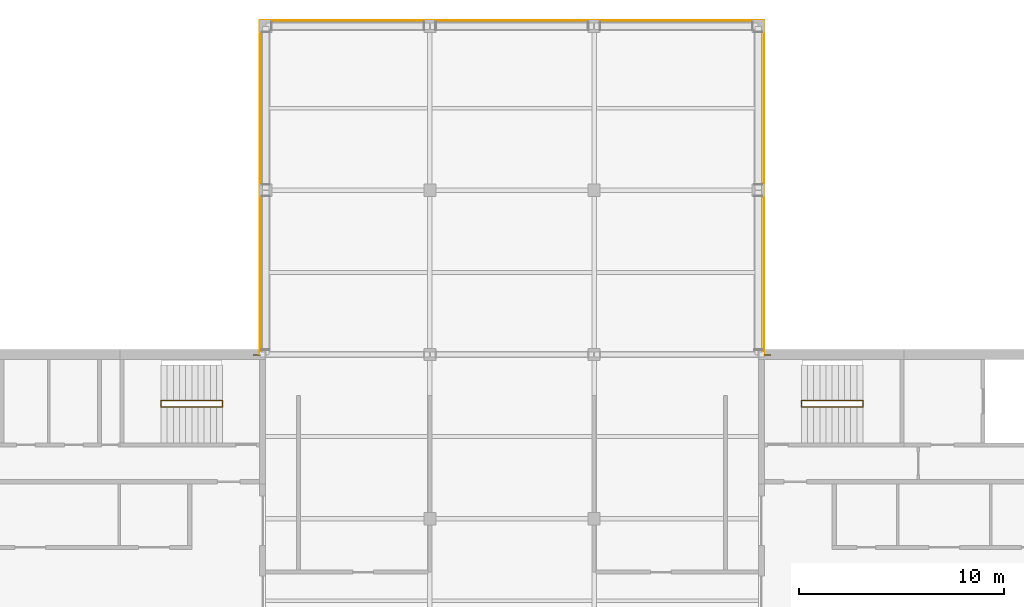
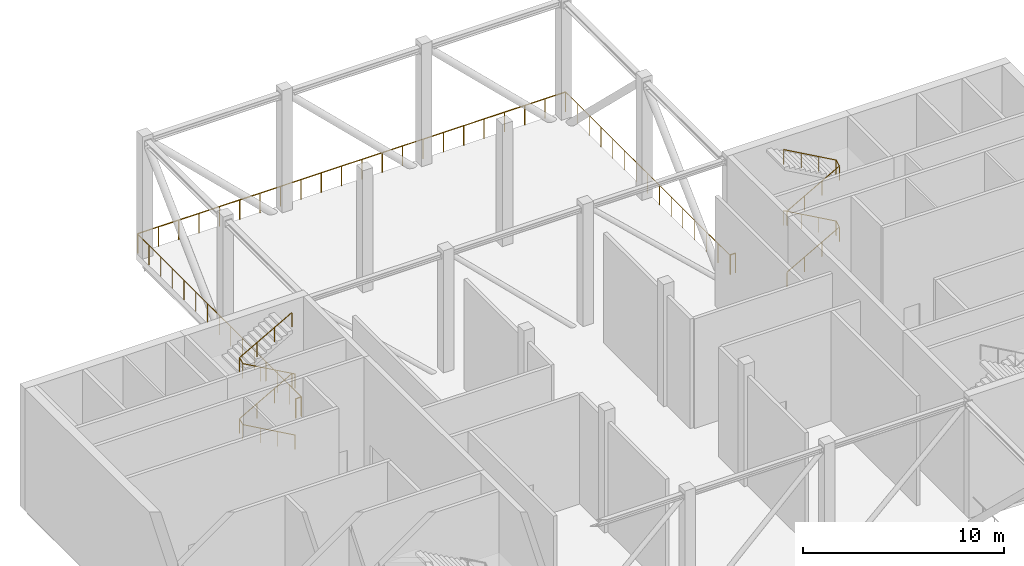
# One storey, part 9 of 9: 7 railings.
"""IFC4 building model written with IfcOpenShell, lengths in metres."""

import ifcopenshell
import ifcopenshell.guid

model = None  # the IFC model being written
_history = None  # IfcOwnerHistory: only IFC2X3 demands one
_inside = {}  # id of a spatial element -> (the spatial element, [elements in it])
_under = {}  # id of a project, library or spatial element -> (it, [spatial elements below it])
_declared = {}  # id of a project -> (the project, [libraries it declares])
_typed = {}  # id of a type object -> (the type object, [elements of that type])
_made_of = {}  # id of a material, layer set ... -> (it, [elements and type objects made of it])


def new_model(schema):
    """Start an empty IFC model of exactly this schema.

    Asked for "IFC4X3", IfcOpenShell would pick the latest addendum, in which some entities
    have other attributes; the version numbers below select the first issue.
    IFC2X3 requires an IfcOwnerHistory on every rooted entity: one is made here for all.
    """
    global model, _history
    if schema == "IFC4X3":
        model = ifcopenshell.file(schema_version=(4, 3, 0, 0))
    else:
        model = ifcopenshell.file(schema=schema)
    _inside.clear()
    _under.clear()
    _declared.clear()
    _typed.clear()
    _made_of.clear()
    _history = None
    if model.schema == "IFC2X3":
        org = make("IfcOrganization", Name="unknown")
        user = make(
            "IfcPersonAndOrganization",
            ThePerson=make("IfcPerson", FamilyName="unknown"),
            TheOrganization=org,
        )
        app = make(
            "IfcApplication",
            ApplicationDeveloper=org,
            Version="unknown",
            ApplicationFullName="unknown",
            ApplicationIdentifier="unknown",
        )
        _history = make(
            "IfcOwnerHistory",
            OwningUser=user,
            OwningApplication=app,
            ChangeAction="ADDED",
            CreationDate=0,
        )
    return model


def make(cls, **values):
    """One entity of the class cls with the attributes given. An attribute that is None is left unset."""
    return model.create_entity(
        cls, **{name: value for name, value in values.items() if value is not None}
    )


def rooted(cls, **values):
    """An entity with a GlobalId (a new one), such as an element, a storey or a relation."""
    return make(cls, GlobalId=ifcopenshell.guid.new(), OwnerHistory=_history, **values)


def si_unit(unit_type, name, prefix=None):
    """IfcSIUnit, for example si_unit("LENGTHUNIT", "METRE", prefix="MILLI")."""
    return make("IfcSIUnit", UnitType=unit_type, Prefix=prefix, Name=name)


def assignment(units):
    """IfcUnitAssignment: the units of a project."""
    return None if units is None else make("IfcUnitAssignment", Units=units)


def point(xyz):
    """IfcCartesianPoint."""
    return None if xyz is None else make("IfcCartesianPoint", Coordinates=xyz)


def direction(xyz):
    """IfcDirection."""
    return None if xyz is None else make("IfcDirection", DirectionRatios=xyz)


def frame(location, z_axis=None, x_axis=None):
    """IfcAxis2Placement3D, a coordinate frame: its origin and axes. An axis left out is left unset."""
    return make(
        "IfcAxis2Placement3D",
        Location=point(location),
        Axis=direction(z_axis),
        RefDirection=direction(x_axis),
    )


def frame_2d(location, x_axis=None):
    """IfcAxis2Placement2D, a coordinate frame in the plane: its origin and x axis."""
    return make(
        "IfcAxis2Placement2D", Location=point(location), RefDirection=direction(x_axis)
    )


def origin():
    """The frame at (0, 0, 0) with its axes left unset."""
    return frame((0.0, 0.0, 0.0))


def origin_2d():
    """The frame at (0, 0) in the plane with its x axis left unset."""
    return frame_2d((0.0, 0.0))


def place(relative_to, where):
    """IfcLocalPlacement: puts the frame where relative to a parent placement (None: the world)."""
    return make(
        "IfcLocalPlacement", PlacementRelTo=relative_to, RelativePlacement=where
    )


def context(
    kind, dimensions, precision=None, world=None, true_north=None, identifier=None
):
    """IfcGeometricRepresentationContext, for example the 3D "Model" context."""
    return make(
        "IfcGeometricRepresentationContext",
        ContextIdentifier=identifier,
        ContextType=kind,
        CoordinateSpaceDimension=dimensions,
        Precision=precision,
        WorldCoordinateSystem=world,
        TrueNorth=true_north,
    )


def subcontext(parent, identifier, kind, view, scale=None):
    """IfcGeometricRepresentationSubContext, for example "Body" below "Model"."""
    return make(
        "IfcGeometricRepresentationSubContext",
        ContextIdentifier=identifier,
        ContextType=kind,
        ParentContext=parent,
        TargetScale=scale,
        TargetView=view,
    )


def project(units=None, contexts=None):
    """IfcProject with its units and contexts."""
    return rooted(
        "IfcProject",
        Name="project",
        RepresentationContexts=contexts,
        UnitsInContext=assignment(units),
    )


def spatial(cls, under=None, at=None, **own):
    """A site, building, storey or space (cls), placed at a placement, below another one or the project."""
    s = rooted(cls, ObjectPlacement=at, **own)
    if under is not None:
        _under.setdefault(under.id(), (under, []))[1].append(s)
    return s


def profile(cls, at=None, kind="AREA", **sizes):
    """A parametric profile (cls). Its sizes go by their IFC names, for example OverallWidth=200.0."""
    return make(cls, ProfileType=kind, Position=at, **sizes)


def circle(**sizes):
    """IfcCircleProfileDef."""
    return profile("IfcCircleProfileDef", **sizes)


def extrude(swept, where, along, depth):
    """IfcExtrudedAreaSolid: the profile swept, set in the frame where, extruded along a direction by depth."""
    return make(
        "IfcExtrudedAreaSolid",
        SweptArea=swept,
        Position=where,
        ExtrudedDirection=direction(along),
        Depth=depth,
    )


def shape(context_of_items, identifier, shape_type, items):
    """IfcShapeRepresentation: the items that make up one representation, for example the "Body"."""
    return make(
        "IfcShapeRepresentation",
        ContextOfItems=context_of_items,
        RepresentationIdentifier=identifier,
        RepresentationType=shape_type,
        Items=items,
    )


def material(Name=None, Category=None):
    """IfcMaterial."""
    return make("IfcMaterial", Name=Name, Category=Category)


def made_of(thing, what):
    """Note that an element or type object is made of a material, layer set ...; save() writes the relation."""
    if what is not None:
        _made_of.setdefault(what.id(), (what, []))[1].append(thing)
    return thing


def type_object(cls, material=None, **own):
    """A type object (cls), such as IfcWallType, which elements share."""
    return made_of(rooted(cls, **own), material)


def element(
    cls,
    number,
    at=None,
    inside=None,
    cuts=None,
    type_object=None,
    material=None,
    context=None,
    identifier="Body",
    shape_type=None,
    held_by="IfcProductDefinitionShape",
    body=None,
    shapes=None,
    **own,
):
    """One element of the class cls, such as IfcWall. Its Tag is "e" and its number.

    at: its placement. inside: the storey or other place that contains it. cuts: it is an
    opening in that element (IfcRelVoidsElement). A single representation is given by context,
    identifier, shape_type and body (its items); several are given by shapes. held_by: the class
    of the entity that holds the representations. save() writes the other relations.
    """
    e = rooted(cls, Tag="e%d" % number, ObjectPlacement=at, **own)
    if body is not None:
        shapes = [shape(context, identifier, shape_type, body)]
    if shapes is not None:
        e.Representation = make(held_by, Representations=shapes)
    if inside is not None:
        _inside.setdefault(inside.id(), (inside, []))[1].append(e)
    if cuts is not None:
        rooted(
            "IfcRelVoidsElement", RelatingBuildingElement=cuts, RelatedOpeningElement=e
        )
    if type_object is not None:
        _typed.setdefault(type_object.id(), (type_object, []))[1].append(e)
    return made_of(e, material)


def aggregate(whole, parts):
    """IfcRelAggregates: a whole, such as a stair, and the parts it consists of."""
    return rooted("IfcRelAggregates", RelatingObject=whole, RelatedObjects=parts)


def save(model, path):
    """Write the relations noted so far, then the file.

    IfcRelAggregates (storeys below a building ...), IfcRelContainedInSpatialStructure (elements
    in a storey), IfcRelDefinesByType, IfcRelAssociatesMaterial and IfcRelDeclares: one each for
    every whole, place, type object, material and project.
    """
    for whole, parts in _under.values():
        aggregate(whole, parts)
    for where, things in _inside.values():
        rooted(
            "IfcRelContainedInSpatialStructure",
            RelatedElements=things,
            RelatingStructure=where,
        )
    for kind, things in _typed.values():
        rooted("IfcRelDefinesByType", RelatedObjects=things, RelatingType=kind)
    for what, things in _made_of.values():
        rooted("IfcRelAssociatesMaterial", RelatedObjects=things, RelatingMaterial=what)
    for by, libraries in _declared.values():
        rooted("IfcRelDeclares", RelatingContext=by, RelatedDefinitions=libraries)
    model.write(path)


model = new_model("IFC4")

# Units and contexts
model_context = context("Model", 3, precision=1e-05, world=origin(), true_north=direction((0.0, 1.0)))
body_context = subcontext(model_context, "Body", "Model", "MODEL_VIEW")
ifc_project = project(units=[si_unit("LENGTHUNIT", "METRE"), si_unit("AREAUNIT", "SQUARE_METRE"), si_unit("VOLUMEUNIT", "CUBIC_METRE"), si_unit("PLANEANGLEUNIT", "RADIAN"), si_unit("MASSUNIT", "GRAM", prefix="KILO")], contexts=[model_context])

# Site, building, storey
site_placement = place(None, origin())
site = spatial("IfcSite", under=ifc_project, at=site_placement, CompositionType="ELEMENT")
building_placement = place(site_placement, origin())
building = spatial("IfcBuilding", under=site, at=building_placement, Name="Crosswind Convention Tower", CompositionType="ELEMENT")
storey_placement = place(building_placement, frame((0.0, 0.0, 303.89990234375)))
storey = spatial("IfcBuildingStorey", under=building, at=storey_placement, Name="L66", CompositionType="ELEMENT", Elevation=303.89990234375)

# Railings
ifc_material_1 = material(Name="Stainless steel", Category="steel")
railing_type_1 = type_object("IfcRailingType", Name="Stair handrail 900", PredefinedType="HANDRAIL", material=ifc_material_1)
railing_1_placement = place(storey_placement, frame((139.10009765625, 109.43994140625, 0.168212890625)))
element("IfcRailing", 1, at=railing_1_placement, inside=storey, type_object=railing_type_1, Name="Stair ST1 handrail L66", PredefinedType="HANDRAIL", context=body_context, shape_type="SweptSolid", body=[
    extrude(circle(Radius=0.02392578125, at=origin_2d()), frame((0.0, 0.0, 0.8759765625), z_axis=(0.872272294576, 0.0, 0.489020494575), x_axis=(0.0, 1.0, 0.0)), (0.0, 0.0, 1.0), 3.439208984375),
    extrude(circle(Radius=0.02392578125, at=origin_2d()), frame((3.0, 0.0, 2.5576171875), z_axis=(0.0, 0.885196349292, 0.465217608438), x_axis=(-1.0, 0.0, 0.0)), (0.0, 0.0, 1.0), 0.361572265625),
    extrude(circle(Radius=0.02392578125, at=origin_2d()), frame((3.0, 0.320068359375, 2.72607421875), z_axis=(-0.872272294576, 0.0, 0.489020494575), x_axis=(0.0, -1.0, 0.0)), (0.0, 0.0, 1.0), 3.439208984375),
    extrude(circle(Radius=0.02392578125, at=origin_2d()), frame((0.0, 0.320068359375, 4.40771484375), z_axis=(0.0, -0.885474334664, 0.464688285468), x_axis=(1.0, 0.0, 0.0)), (0.0, 0.0, 1.0), 0.361572265625),
    extrude(circle(Radius=0.02392578125, at=origin_2d()), frame((0.0, 0.0, 4.57568359375), z_axis=(0.872272294576, 0.0, 0.489020494575), x_axis=(0.0, 1.0, 0.0)), (0.0, 0.0, 1.0), 3.439208984375),
    extrude(circle(Radius=0.02392578125, at=origin_2d()), frame((3.0, 0.0, 6.2578125), z_axis=(0.0, 0.885196349292, 0.465217608438), x_axis=(-1.0, 0.0, 0.0)), (0.0, 0.0, 1.0), 0.361572265625),
    extrude(circle(Radius=0.02392578125, at=origin_2d()), frame((3.0, 0.320068359375, 6.42578125), z_axis=(-0.872272294576, 0.0, 0.489020494575), x_axis=(0.0, -1.0, 0.0)), (0.0, 0.0, 1.0), 3.439208984375),
    extrude(circle(Radius=0.02099609375, at=origin_2d()), origin(), (0.0, 0.0, 1.0), 0.851806640625),
    extrude(circle(Radius=0.02099609375, at=origin_2d()), frame((1.0, 0.0, 0.560546875)), (0.0, 0.0, 1.0), 0.851806640625),
    extrude(circle(Radius=0.02099609375, at=origin_2d()), frame((2.0, 0.0, 1.121337890625)), (0.0, 0.0, 1.0), 0.851806640625),
    extrude(circle(Radius=0.02099609375, at=origin_2d()), frame((3.0, 0.0, 1.681884765625)), (0.0, 0.0, 1.0), 0.851806640625),
    extrude(circle(Radius=0.02099609375, at=origin_2d()), frame((3.0, 0.320068359375, 1.85009765625)), (0.0, 0.0, 1.0), 0.851806640625),
    extrude(circle(Radius=0.02099609375, at=origin_2d()), frame((2.0, 0.320068359375, 2.41064453125)), (0.0, 0.0, 1.0), 0.851806640625),
    extrude(circle(Radius=0.02099609375, at=origin_2d()), frame((1.0, 0.320068359375, 2.971435546875)), (0.0, 0.0, 1.0), 0.851806640625),
    extrude(circle(Radius=0.02099609375, at=origin_2d()), frame((0.0, 0.320068359375, 3.531982421875)), (0.0, 0.0, 1.0), 0.851806640625),
    extrude(circle(Radius=0.02099609375, at=origin_2d()), frame((0.0, 0.0, 3.699951171875)), (0.0, 0.0, 1.0), 0.851806640625),
    extrude(circle(Radius=0.02099609375, at=origin_2d()), frame((1.0, 0.0, 4.260498046875)), (0.0, 0.0, 1.0), 0.851806640625),
    extrude(circle(Radius=0.02099609375, at=origin_2d()), frame((2.0, 0.0, 4.8212890625)), (0.0, 0.0, 1.0), 0.851806640625),
    extrude(circle(Radius=0.02099609375, at=origin_2d()), frame((3.0, 0.0, 5.3818359375)), (0.0, 0.0, 1.0), 0.851806640625),
    extrude(circle(Radius=0.02099609375, at=origin_2d()), frame((3.0, 0.320068359375, 5.550048828125)), (0.0, 0.0, 1.0), 0.851806640625),
    extrude(circle(Radius=0.02099609375, at=origin_2d()), frame((2.0, 0.320068359375, 6.110595703125)), (0.0, 0.0, 1.0), 0.851806640625),
    extrude(circle(Radius=0.02099609375, at=origin_2d()), frame((1.0, 0.320068359375, 6.67138671875)), (0.0, 0.0, 1.0), 0.851806640625),
    extrude(circle(Radius=0.02099609375, at=origin_2d()), frame((0.0, 0.320068359375, 7.23193359375)), (0.0, 0.0, 1.0), 0.851806640625),
])
railing_2_placement = place(storey_placement, frame((110.89990234375, 109.43994140625, 0.168212890625)))
element("IfcRailing", 2, at=railing_2_placement, inside=storey, type_object=railing_type_1, Name="Stair ST4 handrail L66", PredefinedType="HANDRAIL", context=body_context, shape_type="SweptSolid", body=[
    extrude(circle(Radius=0.02392578125, at=origin_2d()), frame((0.0, 0.0, 0.8759765625), z_axis=(-0.872272294576, 0.0, 0.489020494575), x_axis=(0.0, -1.0, 0.0)), (0.0, 0.0, 1.0), 3.439208984375),
    extrude(circle(Radius=0.02392578125, at=origin_2d()), frame((-3.0, 0.0, 2.5576171875), z_axis=(0.0, 0.885196349292, 0.465217608438), x_axis=(-1.0, 0.0, 0.0)), (0.0, 0.0, 1.0), 0.361572265625),
    extrude(circle(Radius=0.02392578125, at=origin_2d()), frame((-3.0, 0.320068359375, 2.72607421875), z_axis=(0.872272294576, 0.0, 0.489020494575), x_axis=(0.0, 1.0, 0.0)), (0.0, 0.0, 1.0), 3.439208984375),
    extrude(circle(Radius=0.02392578125, at=origin_2d()), frame((0.0, 0.320068359375, 4.40771484375), z_axis=(0.0, -0.885474334664, 0.464688285468), x_axis=(1.0, 0.0, 0.0)), (0.0, 0.0, 1.0), 0.361572265625),
    extrude(circle(Radius=0.02392578125, at=origin_2d()), frame((0.0, 0.0, 4.57568359375), z_axis=(-0.872272294576, 0.0, 0.489020494575), x_axis=(0.0, -1.0, 0.0)), (0.0, 0.0, 1.0), 3.439208984375),
    extrude(circle(Radius=0.02392578125, at=origin_2d()), frame((-3.0, 0.0, 6.2578125), z_axis=(0.0, 0.885196349292, 0.465217608438), x_axis=(-1.0, 0.0, 0.0)), (0.0, 0.0, 1.0), 0.361572265625),
    extrude(circle(Radius=0.02392578125, at=origin_2d()), frame((-3.0, 0.320068359375, 6.42578125), z_axis=(0.872272294576, 0.0, 0.489020494575), x_axis=(0.0, 1.0, 0.0)), (0.0, 0.0, 1.0), 3.439208984375),
    extrude(circle(Radius=0.02099609375, at=origin_2d()), origin(), (0.0, 0.0, 1.0), 0.851806640625),
    extrude(circle(Radius=0.02099609375, at=origin_2d()), frame((-1.0, 0.0, 0.560546875)), (0.0, 0.0, 1.0), 0.851806640625),
    extrude(circle(Radius=0.02099609375, at=origin_2d()), frame((-2.0, 0.0, 1.121337890625)), (0.0, 0.0, 1.0), 0.851806640625),
    extrude(circle(Radius=0.02099609375, at=origin_2d()), frame((-3.0, 0.0, 1.681884765625)), (0.0, 0.0, 1.0), 0.851806640625),
    extrude(circle(Radius=0.02099609375, at=origin_2d()), frame((-3.0, 0.320068359375, 1.85009765625)), (0.0, 0.0, 1.0), 0.851806640625),
    extrude(circle(Radius=0.02099609375, at=origin_2d()), frame((-2.0, 0.320068359375, 2.41064453125)), (0.0, 0.0, 1.0), 0.851806640625),
    extrude(circle(Radius=0.02099609375, at=origin_2d()), frame((-1.0, 0.320068359375, 2.971435546875)), (0.0, 0.0, 1.0), 0.851806640625),
    extrude(circle(Radius=0.02099609375, at=origin_2d()), frame((0.0, 0.320068359375, 3.531982421875)), (0.0, 0.0, 1.0), 0.851806640625),
    extrude(circle(Radius=0.02099609375, at=origin_2d()), frame((0.0, 0.0, 3.699951171875)), (0.0, 0.0, 1.0), 0.851806640625),
    extrude(circle(Radius=0.02099609375, at=origin_2d()), frame((-1.0, 0.0, 4.260498046875)), (0.0, 0.0, 1.0), 0.851806640625),
    extrude(circle(Radius=0.02099609375, at=origin_2d()), frame((-2.0, 0.0, 4.8212890625)), (0.0, 0.0, 1.0), 0.851806640625),
    extrude(circle(Radius=0.02099609375, at=origin_2d()), frame((-3.0, 0.0, 5.3818359375)), (0.0, 0.0, 1.0), 0.851806640625),
    extrude(circle(Radius=0.02099609375, at=origin_2d()), frame((-3.0, 0.320068359375, 5.550048828125)), (0.0, 0.0, 1.0), 0.851806640625),
    extrude(circle(Radius=0.02099609375, at=origin_2d()), frame((-2.0, 0.320068359375, 6.110595703125)), (0.0, 0.0, 1.0), 0.851806640625),
    extrude(circle(Radius=0.02099609375, at=origin_2d()), frame((-1.0, 0.320068359375, 6.67138671875)), (0.0, 0.0, 1.0), 0.851806640625),
    extrude(circle(Radius=0.02099609375, at=origin_2d()), frame((0.0, 0.320068359375, 7.23193359375)), (0.0, 0.0, 1.0), 0.851806640625),
])
ifc_material_2 = material(Name="Stainless steel guard", Category="steel")
railing_type_2 = type_object("IfcRailingType", Name="WIND FLOOR GUARD 1200", PredefinedType="GUARDRAIL", material=ifc_material_2)
railing_3_placement = place(storey_placement, frame((112.39990234375, 111.97509765625, 0.0)))
element("IfcRailing", 3, at=railing_3_placement, inside=storey, type_object=railing_type_2, Name="R12 guard L66 1", PredefinedType="GUARDRAIL", context=body_context, shape_type="SweptSolid", body=[
    extrude(circle(Radius=0.01904296875, at=origin_2d()), frame((0.0, 0.0, 1.180908203125), z_axis=(1.0, 0.0, 0.0), x_axis=(0.0, 1.0, 0.0)), (0.0, 0.0, 1.0), 0.3251953125),
    extrude(circle(Radius=0.01611328125, at=origin_2d()), origin(), (0.0, 0.0, 1.0), 1.161865234375),
    extrude(circle(Radius=0.01611328125, at=origin_2d()), frame((0.3251953125, 0.0, 0.0)), (0.0, 0.0, 1.0), 1.161865234375),
])
railing_4_placement = place(storey_placement, frame((112.72509765625, 112.014892578125, 0.0)))
element("IfcRailing", 4, at=railing_4_placement, inside=storey, type_object=railing_type_2, Name="R12 guard L66 2", PredefinedType="GUARDRAIL", context=body_context, shape_type="SweptSolid", body=[
    extrude(circle(Radius=0.01904296875, at=origin_2d()), frame((0.0, 0.0, 1.180908203125), z_axis=(0.0, 1.0, 0.0), x_axis=(-1.0, 0.0, 0.0)), (0.0, 0.0, 1.0), 16.260009765625),
    extrude(circle(Radius=0.01611328125, at=origin_2d()), origin(), (0.0, 0.0, 1.0), 1.161865234375),
    extrude(circle(Radius=0.01611328125, at=origin_2d()), frame((0.0, 1.161376953125, 0.0)), (0.0, 0.0, 1.0), 1.161865234375),
    extrude(circle(Radius=0.01611328125, at=origin_2d()), frame((0.0, 2.32275390625, 0.0)), (0.0, 0.0, 1.0), 1.161865234375),
    extrude(circle(Radius=0.01611328125, at=origin_2d()), frame((0.0, 3.484375, 0.0)), (0.0, 0.0, 1.0), 1.161865234375),
    extrude(circle(Radius=0.01611328125, at=origin_2d()), frame((0.0, 4.645751953125, 0.0)), (0.0, 0.0, 1.0), 1.161865234375),
    extrude(circle(Radius=0.01611328125, at=origin_2d()), frame((0.0, 5.80712890625, 0.0)), (0.0, 0.0, 1.0), 1.161865234375),
    extrude(circle(Radius=0.01611328125, at=origin_2d()), frame((0.0, 6.968505859375, 0.0)), (0.0, 0.0, 1.0), 1.161865234375),
    extrude(circle(Radius=0.01611328125, at=origin_2d()), frame((0.0, 8.1298828125, 0.0)), (0.0, 0.0, 1.0), 1.161865234375),
    extrude(circle(Radius=0.01611328125, at=origin_2d()), frame((0.0, 9.29150390625, 0.0)), (0.0, 0.0, 1.0), 1.161865234375),
    extrude(circle(Radius=0.01611328125, at=origin_2d()), frame((0.0, 10.452880859375, 0.0)), (0.0, 0.0, 1.0), 1.161865234375),
    extrude(circle(Radius=0.01611328125, at=origin_2d()), frame((0.0, 11.6142578125, 0.0)), (0.0, 0.0, 1.0), 1.161865234375),
    extrude(circle(Radius=0.01611328125, at=origin_2d()), frame((0.0, 12.775634765625, 0.0)), (0.0, 0.0, 1.0), 1.161865234375),
    extrude(circle(Radius=0.01611328125, at=origin_2d()), frame((0.0, 13.937255859375, 0.0)), (0.0, 0.0, 1.0), 1.161865234375),
    extrude(circle(Radius=0.01611328125, at=origin_2d()), frame((0.0, 15.0986328125, 0.0)), (0.0, 0.0, 1.0), 1.161865234375),
    extrude(circle(Radius=0.01611328125, at=origin_2d()), frame((0.0, 16.260009765625, 0.0)), (0.0, 0.0, 1.0), 1.161865234375),
])
railing_5_placement = place(storey_placement, frame((112.764892578125, 128.27490234375, 0.0)))
element("IfcRailing", 5, at=railing_5_placement, inside=storey, type_object=railing_type_2, Name="R12 guard L66 3", PredefinedType="GUARDRAIL", context=body_context, shape_type="SweptSolid", body=[
    extrude(circle(Radius=0.01904296875, at=origin_2d()), frame((0.0, 0.0, 1.180908203125), z_axis=(1.0, 0.0, 0.0), x_axis=(0.0, 1.0, 0.0)), (0.0, 0.0, 1.0), 24.510009765625),
    extrude(circle(Radius=0.01611328125, at=origin_2d()), origin(), (0.0, 0.0, 1.0), 1.161865234375),
    extrude(circle(Radius=0.01611328125, at=origin_2d()), frame((1.167236328125, 0.0, 0.0)), (0.0, 0.0, 1.0), 1.161865234375),
    extrude(circle(Radius=0.01611328125, at=origin_2d()), frame((2.334228515625, 0.0, 0.0)), (0.0, 0.0, 1.0), 1.161865234375),
    extrude(circle(Radius=0.01611328125, at=origin_2d()), frame((3.50146484375, 0.0, 0.0)), (0.0, 0.0, 1.0), 1.161865234375),
    extrude(circle(Radius=0.01611328125, at=origin_2d()), frame((4.66845703125, 0.0, 0.0)), (0.0, 0.0, 1.0), 1.161865234375),
    extrude(circle(Radius=0.01611328125, at=origin_2d()), frame((5.835693359375, 0.0, 0.0)), (0.0, 0.0, 1.0), 1.161865234375),
    extrude(circle(Radius=0.01611328125, at=origin_2d()), frame((7.0029296875, 0.0, 0.0)), (0.0, 0.0, 1.0), 1.161865234375),
    extrude(circle(Radius=0.01611328125, at=origin_2d()), frame((8.169921875, 0.0, 0.0)), (0.0, 0.0, 1.0), 1.161865234375),
    extrude(circle(Radius=0.01611328125, at=origin_2d()), frame((9.337158203125, 0.0, 0.0)), (0.0, 0.0, 1.0), 1.161865234375),
    extrude(circle(Radius=0.01611328125, at=origin_2d()), frame((10.50439453125, 0.0, 0.0)), (0.0, 0.0, 1.0), 1.161865234375),
    extrude(circle(Radius=0.01611328125, at=origin_2d()), frame((11.67138671875, 0.0, 0.0)), (0.0, 0.0, 1.0), 1.161865234375),
    extrude(circle(Radius=0.01611328125, at=origin_2d()), frame((12.838623046875, 0.0, 0.0)), (0.0, 0.0, 1.0), 1.161865234375),
    extrude(circle(Radius=0.01611328125, at=origin_2d()), frame((14.005615234375, 0.0, 0.0)), (0.0, 0.0, 1.0), 1.161865234375),
    extrude(circle(Radius=0.01611328125, at=origin_2d()), frame((15.1728515625, 0.0, 0.0)), (0.0, 0.0, 1.0), 1.161865234375),
    extrude(circle(Radius=0.01611328125, at=origin_2d()), frame((16.340087890625, 0.0, 0.0)), (0.0, 0.0, 1.0), 1.161865234375),
    extrude(circle(Radius=0.01611328125, at=origin_2d()), frame((17.507080078125, 0.0, 0.0)), (0.0, 0.0, 1.0), 1.161865234375),
    extrude(circle(Radius=0.01611328125, at=origin_2d()), frame((18.67431640625, 0.0, 0.0)), (0.0, 0.0, 1.0), 1.161865234375),
    extrude(circle(Radius=0.01611328125, at=origin_2d()), frame((19.841552734375, 0.0, 0.0)), (0.0, 0.0, 1.0), 1.161865234375),
    extrude(circle(Radius=0.01611328125, at=origin_2d()), frame((21.008544921875, 0.0, 0.0)), (0.0, 0.0, 1.0), 1.161865234375),
    extrude(circle(Radius=0.01611328125, at=origin_2d()), frame((22.17578125, 0.0, 0.0)), (0.0, 0.0, 1.0), 1.161865234375),
    extrude(circle(Radius=0.01611328125, at=origin_2d()), frame((23.3427734375, 0.0, 0.0)), (0.0, 0.0, 1.0), 1.161865234375),
    extrude(circle(Radius=0.01611328125, at=origin_2d()), frame((24.510009765625, 0.0, 0.0)), (0.0, 0.0, 1.0), 1.161865234375),
])
railing_6_placement = place(storey_placement, frame((137.27490234375, 128.235107421875, 0.0)))
element("IfcRailing", 6, at=railing_6_placement, inside=storey, type_object=railing_type_2, Name="R12 guard L66 4", PredefinedType="GUARDRAIL", context=body_context, shape_type="SweptSolid", body=[
    extrude(circle(Radius=0.01904296875, at=origin_2d()), frame((0.0, 0.0, 1.180908203125), z_axis=(0.0, -1.0, 0.0), x_axis=(1.0, 0.0, 0.0)), (0.0, 0.0, 1.0), 16.260009765625),
    extrude(circle(Radius=0.01611328125, at=origin_2d()), origin(), (0.0, 0.0, 1.0), 1.161865234375),
    extrude(circle(Radius=0.01611328125, at=origin_2d()), frame((0.0, -1.161376953125, 0.0)), (0.0, 0.0, 1.0), 1.161865234375),
    extrude(circle(Radius=0.01611328125, at=origin_2d()), frame((0.0, -2.32275390625, 0.0)), (0.0, 0.0, 1.0), 1.161865234375),
    extrude(circle(Radius=0.01611328125, at=origin_2d()), frame((0.0, -3.484375, 0.0)), (0.0, 0.0, 1.0), 1.161865234375),
    extrude(circle(Radius=0.01611328125, at=origin_2d()), frame((0.0, -4.645751953125, 0.0)), (0.0, 0.0, 1.0), 1.161865234375),
    extrude(circle(Radius=0.01611328125, at=origin_2d()), frame((0.0, -5.80712890625, 0.0)), (0.0, 0.0, 1.0), 1.161865234375),
    extrude(circle(Radius=0.01611328125, at=origin_2d()), frame((0.0, -6.968505859375, 0.0)), (0.0, 0.0, 1.0), 1.161865234375),
    extrude(circle(Radius=0.01611328125, at=origin_2d()), frame((0.0, -8.1298828125, 0.0)), (0.0, 0.0, 1.0), 1.161865234375),
    extrude(circle(Radius=0.01611328125, at=origin_2d()), frame((0.0, -9.29150390625, 0.0)), (0.0, 0.0, 1.0), 1.161865234375),
    extrude(circle(Radius=0.01611328125, at=origin_2d()), frame((0.0, -10.452880859375, 0.0)), (0.0, 0.0, 1.0), 1.161865234375),
    extrude(circle(Radius=0.01611328125, at=origin_2d()), frame((0.0, -11.6142578125, 0.0)), (0.0, 0.0, 1.0), 1.161865234375),
    extrude(circle(Radius=0.01611328125, at=origin_2d()), frame((0.0, -12.775634765625, 0.0)), (0.0, 0.0, 1.0), 1.161865234375),
    extrude(circle(Radius=0.01611328125, at=origin_2d()), frame((0.0, -13.937255859375, 0.0)), (0.0, 0.0, 1.0), 1.161865234375),
    extrude(circle(Radius=0.01611328125, at=origin_2d()), frame((0.0, -15.0986328125, 0.0)), (0.0, 0.0, 1.0), 1.161865234375),
    extrude(circle(Radius=0.01611328125, at=origin_2d()), frame((0.0, -16.260009765625, 0.0)), (0.0, 0.0, 1.0), 1.161865234375),
])
railing_7_placement = place(storey_placement, frame((137.31494140625, 111.97509765625, 0.0)))
element("IfcRailing", 7, at=railing_7_placement, inside=storey, type_object=railing_type_2, Name="R12 guard L66 5", PredefinedType="GUARDRAIL", context=body_context, shape_type="SweptSolid", body=[
    extrude(circle(Radius=0.01904296875, at=origin_2d()), frame((0.0, 0.0, 1.180908203125), z_axis=(1.0, 0.0, 0.0), x_axis=(0.0, 1.0, 0.0)), (0.0, 0.0, 1.0), 0.28515625),
    extrude(circle(Radius=0.01611328125, at=origin_2d()), origin(), (0.0, 0.0, 1.0), 1.161865234375),
    extrude(circle(Radius=0.01611328125, at=origin_2d()), frame((0.28515625, 0.0, 0.0)), (0.0, 0.0, 1.0), 1.161865234375),
])

save(model, "model.ifc")
